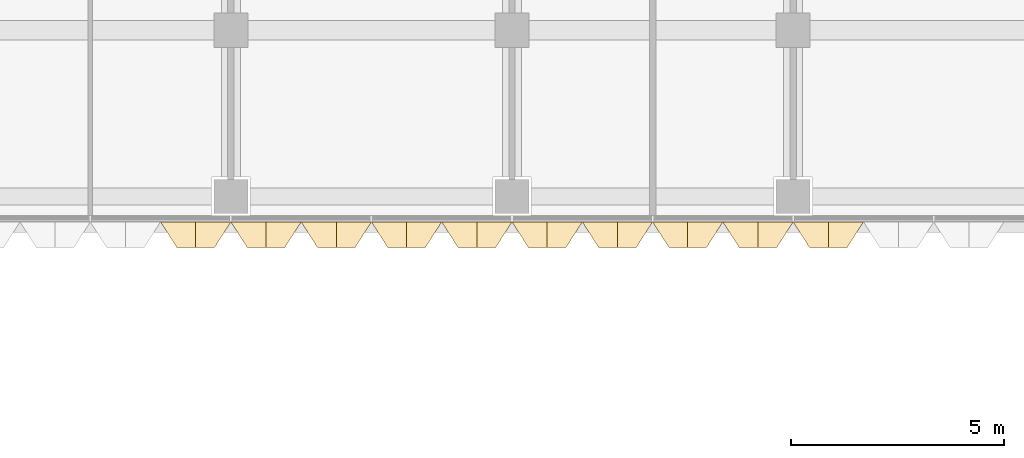
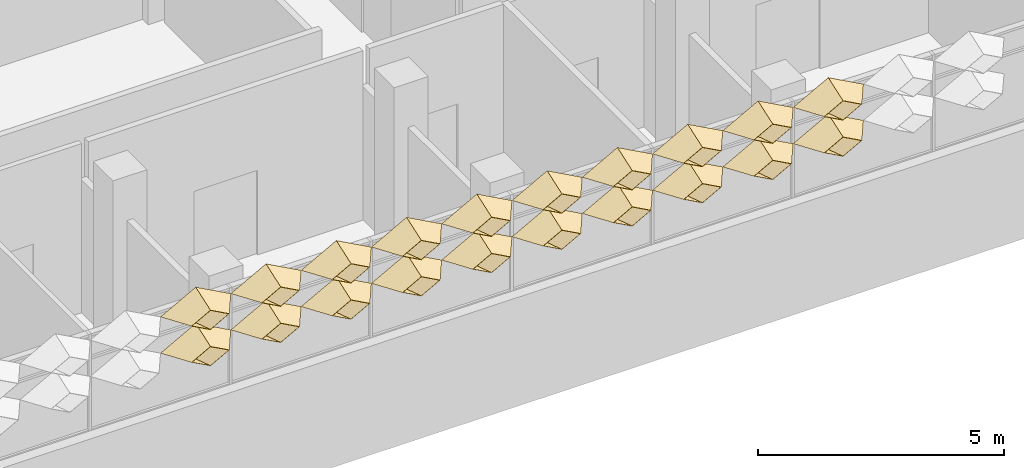
# One storey, part 61 of 102: 20 coverings.
"""IFC4 building model written with IfcOpenShell, lengths in metres."""

from ifc_helpers import new_model, entity, si_unit, direction, frame, origin, place, context, subcontext, project, spatial, material, layer, layer_set, type_object, element, save


model = new_model("IFC4")

# Units and contexts
model_context = context("Model", 3, precision=1e-05, world=origin(), true_north=direction((0.0, 1.0)))
body_context = subcontext(model_context, "Body", "Model", "MODEL_VIEW")
ifc_project = project(units=[si_unit("LENGTHUNIT", "METRE"), si_unit("AREAUNIT", "SQUARE_METRE"), si_unit("VOLUMEUNIT", "CUBIC_METRE"), si_unit("PLANEANGLEUNIT", "RADIAN"), si_unit("MASSUNIT", "GRAM", prefix="KILO")], contexts=[model_context])

# Site, building, storey
site_placement = place(None, origin())
site = spatial("IfcSite", under=ifc_project, at=site_placement, CompositionType="ELEMENT")
building_placement = place(site_placement, origin())
building = spatial("IfcBuilding", under=site, at=building_placement, Name="Lantern Court Research Institute", CompositionType="ELEMENT")
storey_placement = place(building_placement, frame((0.0, 0.0, 9.89990234375)))
storey = spatial("IfcBuildingStorey", under=building, at=storey_placement, Name="L02", CompositionType="ELEMENT", Elevation=9.89990234375)

# Coverings
ifc_material = material(Name="Anodised aluminium", Category="aluminium")
ifc_layer = layer(ifc_material, 0.01611328125)
ifc_layer_set = layer_set([ifc_layer], Name="Anodised aluminium")
covering_type = type_object("IfcCoveringType", Name="Fin cassette 1650 x 900 x 600 aluminium", PredefinedType="CLADDING", material=ifc_layer_set)
covering_1_placement = place(storey_placement, frame((32.175048828125, -4.5, 3.150146484375), z_axis=(0.0, -1.0, 0.0), x_axis=(1.0, 0.0, 0.0)))
cartesian_point_1 = entity("IfcCartesianPoint", [0.824951171875, 0.0])
cartesian_point_2 = entity("IfcCartesianPoint", [0.79150390625, 0.0])
cartesian_point_3 = entity("IfcCartesianPoint", [0.44189453125, 0.0])
cartesian_point_4 = entity("IfcCartesianPoint", [0.43359375, 0.0])
element("IfcCovering", 1, at=covering_1_placement, inside=storey, type_object=covering_type, Name="Fin cassette V4S-L02 4.20", PredefinedType="CLADDING", context=body_context, shape_type="SweptSolid", body=[
    entity("IfcExtrudedAreaSolidTapered", entity("IfcArbitraryProfileDefWithVoids", "AREA", None, entity("IfcPolyline", [cartesian_point_1, entity("IfcCartesianPoint", [0.0, 0.449951171875]), entity("IfcCartesianPoint", [-0.824951171875, 0.0]), entity("IfcCartesianPoint", [0.0, -0.449951171875]), cartesian_point_1]), [entity("IfcPolyline", [cartesian_point_2, entity("IfcCartesianPoint", [0.0, 0.431884765625]), entity("IfcCartesianPoint", [-0.79150390625, 0.0]), entity("IfcCartesianPoint", [0.0, -0.431884765625]), cartesian_point_2])]), entity("IfcAxis2Placement3D", entity("IfcCartesianPoint", [0.0, 0.0, 0.0])), entity("IfcDirection", [0.0, 0.0, 1.0]), 0.60009765625, entity("IfcArbitraryProfileDefWithVoids", "AREA", None, entity("IfcPolyline", [cartesian_point_3, entity("IfcCartesianPoint", [0.0, 0.240966796875]), entity("IfcCartesianPoint", [-0.44189453125, 0.0]), entity("IfcCartesianPoint", [0.0, -0.240966796875]), cartesian_point_3]), [entity("IfcPolyline", [cartesian_point_4, entity("IfcCartesianPoint", [0.0, 0.236572265625]), entity("IfcCartesianPoint", [-0.43359375, 0.0]), entity("IfcCartesianPoint", [0.0, -0.236572265625]), cartesian_point_4])])),
])
covering_2_placement = place(storey_placement, frame((33.824951171875, -4.5, 3.150146484375), z_axis=(0.0, -1.0, 0.0), x_axis=(1.0, 0.0, 0.0)))
cartesian_point_5 = entity("IfcCartesianPoint", [0.824951171875, 0.0])
cartesian_point_6 = entity("IfcCartesianPoint", [0.79150390625, 0.0])
cartesian_point_7 = entity("IfcCartesianPoint", [0.44189453125, 0.0])
cartesian_point_8 = entity("IfcCartesianPoint", [0.43359375, 0.0])
element("IfcCovering", 2, at=covering_2_placement, inside=storey, type_object=covering_type, Name="Fin cassette V4S-L02 4.21", PredefinedType="CLADDING", context=body_context, shape_type="SweptSolid", body=[
    entity("IfcExtrudedAreaSolidTapered", entity("IfcArbitraryProfileDefWithVoids", "AREA", None, entity("IfcPolyline", [cartesian_point_5, entity("IfcCartesianPoint", [0.0, 0.449951171875]), entity("IfcCartesianPoint", [-0.824951171875, 0.0]), entity("IfcCartesianPoint", [0.0, -0.449951171875]), cartesian_point_5]), [entity("IfcPolyline", [cartesian_point_6, entity("IfcCartesianPoint", [0.0, 0.431884765625]), entity("IfcCartesianPoint", [-0.79150390625, 0.0]), entity("IfcCartesianPoint", [0.0, -0.431884765625]), cartesian_point_6])]), entity("IfcAxis2Placement3D", entity("IfcCartesianPoint", [0.0, 0.0, 0.0])), entity("IfcDirection", [0.0, 0.0, 1.0]), 0.60009765625, entity("IfcArbitraryProfileDefWithVoids", "AREA", None, entity("IfcPolyline", [cartesian_point_7, entity("IfcCartesianPoint", [0.0, 0.240966796875]), entity("IfcCartesianPoint", [-0.44189453125, 0.0]), entity("IfcCartesianPoint", [0.0, -0.240966796875]), cartesian_point_7]), [entity("IfcPolyline", [cartesian_point_8, entity("IfcCartesianPoint", [0.0, 0.236572265625]), entity("IfcCartesianPoint", [-0.43359375, 0.0]), entity("IfcCartesianPoint", [0.0, -0.236572265625]), cartesian_point_8])])),
])
covering_3_placement = place(storey_placement, frame((35.47509765625, -4.5, 3.150146484375), z_axis=(0.0, -1.0, 0.0), x_axis=(1.0, 0.0, 0.0)))
cartesian_point_9 = entity("IfcCartesianPoint", [0.824951171875, 0.0])
cartesian_point_10 = entity("IfcCartesianPoint", [0.79150390625, 0.0])
cartesian_point_11 = entity("IfcCartesianPoint", [0.44189453125, 0.0])
cartesian_point_12 = entity("IfcCartesianPoint", [0.43359375, 0.0])
element("IfcCovering", 3, at=covering_3_placement, inside=storey, type_object=covering_type, Name="Fin cassette V4S-L02 4.22", PredefinedType="CLADDING", context=body_context, shape_type="SweptSolid", body=[
    entity("IfcExtrudedAreaSolidTapered", entity("IfcArbitraryProfileDefWithVoids", "AREA", None, entity("IfcPolyline", [cartesian_point_9, entity("IfcCartesianPoint", [0.0, 0.449951171875]), entity("IfcCartesianPoint", [-0.824951171875, 0.0]), entity("IfcCartesianPoint", [0.0, -0.449951171875]), cartesian_point_9]), [entity("IfcPolyline", [cartesian_point_10, entity("IfcCartesianPoint", [0.0, 0.431884765625]), entity("IfcCartesianPoint", [-0.79150390625, 0.0]), entity("IfcCartesianPoint", [0.0, -0.431884765625]), cartesian_point_10])]), entity("IfcAxis2Placement3D", entity("IfcCartesianPoint", [0.0, 0.0, 0.0])), entity("IfcDirection", [0.0, 0.0, 1.0]), 0.60009765625, entity("IfcArbitraryProfileDefWithVoids", "AREA", None, entity("IfcPolyline", [cartesian_point_11, entity("IfcCartesianPoint", [0.0, 0.240966796875]), entity("IfcCartesianPoint", [-0.44189453125, 0.0]), entity("IfcCartesianPoint", [0.0, -0.240966796875]), cartesian_point_11]), [entity("IfcPolyline", [cartesian_point_12, entity("IfcCartesianPoint", [0.0, 0.236572265625]), entity("IfcCartesianPoint", [-0.43359375, 0.0]), entity("IfcCartesianPoint", [0.0, -0.236572265625]), cartesian_point_12])])),
])
covering_4_placement = place(storey_placement, frame((37.125, -4.5, 3.150146484375), z_axis=(0.0, -1.0, 0.0), x_axis=(1.0, 0.0, 0.0)))
cartesian_point_13 = entity("IfcCartesianPoint", [0.824951171875, 0.0])
cartesian_point_14 = entity("IfcCartesianPoint", [0.79150390625, 0.0])
cartesian_point_15 = entity("IfcCartesianPoint", [0.44189453125, 0.0])
cartesian_point_16 = entity("IfcCartesianPoint", [0.43359375, 0.0])
element("IfcCovering", 4, at=covering_4_placement, inside=storey, type_object=covering_type, Name="Fin cassette V4S-L02 4.23", PredefinedType="CLADDING", context=body_context, shape_type="SweptSolid", body=[
    entity("IfcExtrudedAreaSolidTapered", entity("IfcArbitraryProfileDefWithVoids", "AREA", None, entity("IfcPolyline", [cartesian_point_13, entity("IfcCartesianPoint", [0.0, 0.449951171875]), entity("IfcCartesianPoint", [-0.824951171875, 0.0]), entity("IfcCartesianPoint", [0.0, -0.449951171875]), cartesian_point_13]), [entity("IfcPolyline", [cartesian_point_14, entity("IfcCartesianPoint", [0.0, 0.431884765625]), entity("IfcCartesianPoint", [-0.79150390625, 0.0]), entity("IfcCartesianPoint", [0.0, -0.431884765625]), cartesian_point_14])]), entity("IfcAxis2Placement3D", entity("IfcCartesianPoint", [0.0, 0.0, 0.0])), entity("IfcDirection", [0.0, 0.0, 1.0]), 0.60009765625, entity("IfcArbitraryProfileDefWithVoids", "AREA", None, entity("IfcPolyline", [cartesian_point_15, entity("IfcCartesianPoint", [0.0, 0.240966796875]), entity("IfcCartesianPoint", [-0.44189453125, 0.0]), entity("IfcCartesianPoint", [0.0, -0.240966796875]), cartesian_point_15]), [entity("IfcPolyline", [cartesian_point_16, entity("IfcCartesianPoint", [0.0, 0.236572265625]), entity("IfcCartesianPoint", [-0.43359375, 0.0]), entity("IfcCartesianPoint", [0.0, -0.236572265625]), cartesian_point_16])])),
])
covering_5_placement = place(storey_placement, frame((38.77490234375, -4.5, 3.150146484375), z_axis=(0.0, -1.0, 0.0), x_axis=(1.0, 0.0, 0.0)))
cartesian_point_17 = entity("IfcCartesianPoint", [0.824951171875, 0.0])
cartesian_point_18 = entity("IfcCartesianPoint", [0.79150390625, 0.0])
cartesian_point_19 = entity("IfcCartesianPoint", [0.44189453125, 0.0])
cartesian_point_20 = entity("IfcCartesianPoint", [0.43359375, 0.0])
element("IfcCovering", 5, at=covering_5_placement, inside=storey, type_object=covering_type, Name="Fin cassette V4S-L02 4.24", PredefinedType="CLADDING", context=body_context, shape_type="SweptSolid", body=[
    entity("IfcExtrudedAreaSolidTapered", entity("IfcArbitraryProfileDefWithVoids", "AREA", None, entity("IfcPolyline", [cartesian_point_17, entity("IfcCartesianPoint", [0.0, 0.449951171875]), entity("IfcCartesianPoint", [-0.824951171875, 0.0]), entity("IfcCartesianPoint", [0.0, -0.449951171875]), cartesian_point_17]), [entity("IfcPolyline", [cartesian_point_18, entity("IfcCartesianPoint", [0.0, 0.431884765625]), entity("IfcCartesianPoint", [-0.79150390625, 0.0]), entity("IfcCartesianPoint", [0.0, -0.431884765625]), cartesian_point_18])]), entity("IfcAxis2Placement3D", entity("IfcCartesianPoint", [0.0, 0.0, 0.0])), entity("IfcDirection", [0.0, 0.0, 1.0]), 0.60009765625, entity("IfcArbitraryProfileDefWithVoids", "AREA", None, entity("IfcPolyline", [cartesian_point_19, entity("IfcCartesianPoint", [0.0, 0.240966796875]), entity("IfcCartesianPoint", [-0.44189453125, 0.0]), entity("IfcCartesianPoint", [0.0, -0.240966796875]), cartesian_point_19]), [entity("IfcPolyline", [cartesian_point_20, entity("IfcCartesianPoint", [0.0, 0.236572265625]), entity("IfcCartesianPoint", [-0.43359375, 0.0]), entity("IfcCartesianPoint", [0.0, -0.236572265625]), cartesian_point_20])])),
])
covering_6_placement = place(storey_placement, frame((40.425048828125, -4.5, 3.150146484375), z_axis=(0.0, -1.0, 0.0), x_axis=(1.0, 0.0, 0.0)))
cartesian_point_21 = entity("IfcCartesianPoint", [0.824951171875, 0.0])
cartesian_point_22 = entity("IfcCartesianPoint", [0.79150390625, 0.0])
cartesian_point_23 = entity("IfcCartesianPoint", [0.44189453125, 0.0])
cartesian_point_24 = entity("IfcCartesianPoint", [0.43359375, 0.0])
element("IfcCovering", 6, at=covering_6_placement, inside=storey, type_object=covering_type, Name="Fin cassette V4S-L02 4.25", PredefinedType="CLADDING", context=body_context, shape_type="SweptSolid", body=[
    entity("IfcExtrudedAreaSolidTapered", entity("IfcArbitraryProfileDefWithVoids", "AREA", None, entity("IfcPolyline", [cartesian_point_21, entity("IfcCartesianPoint", [0.0, 0.449951171875]), entity("IfcCartesianPoint", [-0.824951171875, 0.0]), entity("IfcCartesianPoint", [0.0, -0.449951171875]), cartesian_point_21]), [entity("IfcPolyline", [cartesian_point_22, entity("IfcCartesianPoint", [0.0, 0.431884765625]), entity("IfcCartesianPoint", [-0.79150390625, 0.0]), entity("IfcCartesianPoint", [0.0, -0.431884765625]), cartesian_point_22])]), entity("IfcAxis2Placement3D", entity("IfcCartesianPoint", [0.0, 0.0, 0.0])), entity("IfcDirection", [0.0, 0.0, 1.0]), 0.60009765625, entity("IfcArbitraryProfileDefWithVoids", "AREA", None, entity("IfcPolyline", [cartesian_point_23, entity("IfcCartesianPoint", [0.0, 0.240966796875]), entity("IfcCartesianPoint", [-0.44189453125, 0.0]), entity("IfcCartesianPoint", [0.0, -0.240966796875]), cartesian_point_23]), [entity("IfcPolyline", [cartesian_point_24, entity("IfcCartesianPoint", [0.0, 0.236572265625]), entity("IfcCartesianPoint", [-0.43359375, 0.0]), entity("IfcCartesianPoint", [0.0, -0.236572265625]), cartesian_point_24])])),
])
covering_7_placement = place(storey_placement, frame((42.074951171875, -4.5, 3.150146484375), z_axis=(0.0, -1.0, 0.0), x_axis=(1.0, 0.0, 0.0)))
cartesian_point_25 = entity("IfcCartesianPoint", [0.824951171875, 0.0])
cartesian_point_26 = entity("IfcCartesianPoint", [0.79150390625, 0.0])
cartesian_point_27 = entity("IfcCartesianPoint", [0.44189453125, 0.0])
cartesian_point_28 = entity("IfcCartesianPoint", [0.43359375, 0.0])
element("IfcCovering", 7, at=covering_7_placement, inside=storey, type_object=covering_type, Name="Fin cassette V4S-L02 4.26", PredefinedType="CLADDING", context=body_context, shape_type="SweptSolid", body=[
    entity("IfcExtrudedAreaSolidTapered", entity("IfcArbitraryProfileDefWithVoids", "AREA", None, entity("IfcPolyline", [cartesian_point_25, entity("IfcCartesianPoint", [0.0, 0.449951171875]), entity("IfcCartesianPoint", [-0.824951171875, 0.0]), entity("IfcCartesianPoint", [0.0, -0.449951171875]), cartesian_point_25]), [entity("IfcPolyline", [cartesian_point_26, entity("IfcCartesianPoint", [0.0, 0.431884765625]), entity("IfcCartesianPoint", [-0.79150390625, 0.0]), entity("IfcCartesianPoint", [0.0, -0.431884765625]), cartesian_point_26])]), entity("IfcAxis2Placement3D", entity("IfcCartesianPoint", [0.0, 0.0, 0.0])), entity("IfcDirection", [0.0, 0.0, 1.0]), 0.60009765625, entity("IfcArbitraryProfileDefWithVoids", "AREA", None, entity("IfcPolyline", [cartesian_point_27, entity("IfcCartesianPoint", [0.0, 0.240966796875]), entity("IfcCartesianPoint", [-0.44189453125, 0.0]), entity("IfcCartesianPoint", [0.0, -0.240966796875]), cartesian_point_27]), [entity("IfcPolyline", [cartesian_point_28, entity("IfcCartesianPoint", [0.0, 0.236572265625]), entity("IfcCartesianPoint", [-0.43359375, 0.0]), entity("IfcCartesianPoint", [0.0, -0.236572265625]), cartesian_point_28])])),
])
covering_8_placement = place(storey_placement, frame((43.72509765625, -4.5, 3.150146484375), z_axis=(0.0, -1.0, 0.0), x_axis=(1.0, 0.0, 0.0)))
cartesian_point_29 = entity("IfcCartesianPoint", [0.824951171875, 0.0])
cartesian_point_30 = entity("IfcCartesianPoint", [0.79150390625, 0.0])
cartesian_point_31 = entity("IfcCartesianPoint", [0.44189453125, 0.0])
cartesian_point_32 = entity("IfcCartesianPoint", [0.43359375, 0.0])
element("IfcCovering", 8, at=covering_8_placement, inside=storey, type_object=covering_type, Name="Fin cassette V4S-L02 4.27", PredefinedType="CLADDING", context=body_context, shape_type="SweptSolid", body=[
    entity("IfcExtrudedAreaSolidTapered", entity("IfcArbitraryProfileDefWithVoids", "AREA", None, entity("IfcPolyline", [cartesian_point_29, entity("IfcCartesianPoint", [0.0, 0.449951171875]), entity("IfcCartesianPoint", [-0.824951171875, 0.0]), entity("IfcCartesianPoint", [0.0, -0.449951171875]), cartesian_point_29]), [entity("IfcPolyline", [cartesian_point_30, entity("IfcCartesianPoint", [0.0, 0.431884765625]), entity("IfcCartesianPoint", [-0.79150390625, 0.0]), entity("IfcCartesianPoint", [0.0, -0.431884765625]), cartesian_point_30])]), entity("IfcAxis2Placement3D", entity("IfcCartesianPoint", [0.0, 0.0, 0.0])), entity("IfcDirection", [0.0, 0.0, 1.0]), 0.60009765625, entity("IfcArbitraryProfileDefWithVoids", "AREA", None, entity("IfcPolyline", [cartesian_point_31, entity("IfcCartesianPoint", [0.0, 0.240966796875]), entity("IfcCartesianPoint", [-0.44189453125, 0.0]), entity("IfcCartesianPoint", [0.0, -0.240966796875]), cartesian_point_31]), [entity("IfcPolyline", [cartesian_point_32, entity("IfcCartesianPoint", [0.0, 0.236572265625]), entity("IfcCartesianPoint", [-0.43359375, 0.0]), entity("IfcCartesianPoint", [0.0, -0.236572265625]), cartesian_point_32])])),
])
covering_9_placement = place(storey_placement, frame((45.375, -4.5, 3.150146484375), z_axis=(0.0, -1.0, 0.0), x_axis=(1.0, 0.0, 0.0)))
cartesian_point_33 = entity("IfcCartesianPoint", [0.824951171875, 0.0])
cartesian_point_34 = entity("IfcCartesianPoint", [0.79150390625, 0.0])
cartesian_point_35 = entity("IfcCartesianPoint", [0.44189453125, 0.0])
cartesian_point_36 = entity("IfcCartesianPoint", [0.43359375, 0.0])
element("IfcCovering", 9, at=covering_9_placement, inside=storey, type_object=covering_type, Name="Fin cassette V4S-L02 4.28", PredefinedType="CLADDING", context=body_context, shape_type="SweptSolid", body=[
    entity("IfcExtrudedAreaSolidTapered", entity("IfcArbitraryProfileDefWithVoids", "AREA", None, entity("IfcPolyline", [cartesian_point_33, entity("IfcCartesianPoint", [0.0, 0.449951171875]), entity("IfcCartesianPoint", [-0.824951171875, 0.0]), entity("IfcCartesianPoint", [0.0, -0.449951171875]), cartesian_point_33]), [entity("IfcPolyline", [cartesian_point_34, entity("IfcCartesianPoint", [0.0, 0.431884765625]), entity("IfcCartesianPoint", [-0.79150390625, 0.0]), entity("IfcCartesianPoint", [0.0, -0.431884765625]), cartesian_point_34])]), entity("IfcAxis2Placement3D", entity("IfcCartesianPoint", [0.0, 0.0, 0.0])), entity("IfcDirection", [0.0, 0.0, 1.0]), 0.60009765625, entity("IfcArbitraryProfileDefWithVoids", "AREA", None, entity("IfcPolyline", [cartesian_point_35, entity("IfcCartesianPoint", [0.0, 0.240966796875]), entity("IfcCartesianPoint", [-0.44189453125, 0.0]), entity("IfcCartesianPoint", [0.0, -0.240966796875]), cartesian_point_35]), [entity("IfcPolyline", [cartesian_point_36, entity("IfcCartesianPoint", [0.0, 0.236572265625]), entity("IfcCartesianPoint", [-0.43359375, 0.0]), entity("IfcCartesianPoint", [0.0, -0.236572265625]), cartesian_point_36])])),
])
covering_10_placement = place(storey_placement, frame((47.02490234375, -4.5, 3.150146484375), z_axis=(0.0, -1.0, 0.0), x_axis=(1.0, 0.0, 0.0)))
cartesian_point_37 = entity("IfcCartesianPoint", [0.824951171875, 0.0])
cartesian_point_38 = entity("IfcCartesianPoint", [0.79150390625, 0.0])
cartesian_point_39 = entity("IfcCartesianPoint", [0.44189453125, 0.0])
cartesian_point_40 = entity("IfcCartesianPoint", [0.43359375, 0.0])
element("IfcCovering", 10, at=covering_10_placement, inside=storey, type_object=covering_type, Name="Fin cassette V4S-L02 4.29", PredefinedType="CLADDING", context=body_context, shape_type="SweptSolid", body=[
    entity("IfcExtrudedAreaSolidTapered", entity("IfcArbitraryProfileDefWithVoids", "AREA", None, entity("IfcPolyline", [cartesian_point_37, entity("IfcCartesianPoint", [0.0, 0.449951171875]), entity("IfcCartesianPoint", [-0.824951171875, 0.0]), entity("IfcCartesianPoint", [0.0, -0.449951171875]), cartesian_point_37]), [entity("IfcPolyline", [cartesian_point_38, entity("IfcCartesianPoint", [0.0, 0.431884765625]), entity("IfcCartesianPoint", [-0.79150390625, 0.0]), entity("IfcCartesianPoint", [0.0, -0.431884765625]), cartesian_point_38])]), entity("IfcAxis2Placement3D", entity("IfcCartesianPoint", [0.0, 0.0, 0.0])), entity("IfcDirection", [0.0, 0.0, 1.0]), 0.60009765625, entity("IfcArbitraryProfileDefWithVoids", "AREA", None, entity("IfcPolyline", [cartesian_point_39, entity("IfcCartesianPoint", [0.0, 0.240966796875]), entity("IfcCartesianPoint", [-0.44189453125, 0.0]), entity("IfcCartesianPoint", [0.0, -0.240966796875]), cartesian_point_39]), [entity("IfcPolyline", [cartesian_point_40, entity("IfcCartesianPoint", [0.0, 0.236572265625]), entity("IfcCartesianPoint", [-0.43359375, 0.0]), entity("IfcCartesianPoint", [0.0, -0.236572265625]), cartesian_point_40])])),
])
covering_11_placement = place(storey_placement, frame((32.175048828125, -4.5, 4.050048828125), z_axis=(0.0, -1.0, 0.0), x_axis=(1.0, 0.0, 0.0)))
cartesian_point_41 = entity("IfcCartesianPoint", [0.824951171875, 0.0])
cartesian_point_42 = entity("IfcCartesianPoint", [0.79150390625, 0.0])
cartesian_point_43 = entity("IfcCartesianPoint", [0.44189453125, 0.0])
cartesian_point_44 = entity("IfcCartesianPoint", [0.43359375, 0.0])
element("IfcCovering", 11, at=covering_11_placement, inside=storey, type_object=covering_type, Name="Fin cassette V4S-L02 5.20", PredefinedType="CLADDING", context=body_context, shape_type="SweptSolid", body=[
    entity("IfcExtrudedAreaSolidTapered", entity("IfcArbitraryProfileDefWithVoids", "AREA", None, entity("IfcPolyline", [cartesian_point_41, entity("IfcCartesianPoint", [0.0, 0.449951171875]), entity("IfcCartesianPoint", [-0.824951171875, 0.0]), entity("IfcCartesianPoint", [0.0, -0.449951171875]), cartesian_point_41]), [entity("IfcPolyline", [cartesian_point_42, entity("IfcCartesianPoint", [0.0, 0.431884765625]), entity("IfcCartesianPoint", [-0.79150390625, 0.0]), entity("IfcCartesianPoint", [0.0, -0.431884765625]), cartesian_point_42])]), entity("IfcAxis2Placement3D", entity("IfcCartesianPoint", [0.0, 0.0, 0.0])), entity("IfcDirection", [0.0, 0.0, 1.0]), 0.60009765625, entity("IfcArbitraryProfileDefWithVoids", "AREA", None, entity("IfcPolyline", [cartesian_point_43, entity("IfcCartesianPoint", [0.0, 0.240966796875]), entity("IfcCartesianPoint", [-0.44189453125, 0.0]), entity("IfcCartesianPoint", [0.0, -0.240966796875]), cartesian_point_43]), [entity("IfcPolyline", [cartesian_point_44, entity("IfcCartesianPoint", [0.0, 0.236572265625]), entity("IfcCartesianPoint", [-0.43359375, 0.0]), entity("IfcCartesianPoint", [0.0, -0.236572265625]), cartesian_point_44])])),
])
covering_12_placement = place(storey_placement, frame((33.824951171875, -4.5, 4.050048828125), z_axis=(0.0, -1.0, 0.0), x_axis=(1.0, 0.0, 0.0)))
cartesian_point_45 = entity("IfcCartesianPoint", [0.824951171875, 0.0])
cartesian_point_46 = entity("IfcCartesianPoint", [0.79150390625, 0.0])
cartesian_point_47 = entity("IfcCartesianPoint", [0.44189453125, 0.0])
cartesian_point_48 = entity("IfcCartesianPoint", [0.43359375, 0.0])
element("IfcCovering", 12, at=covering_12_placement, inside=storey, type_object=covering_type, Name="Fin cassette V4S-L02 5.21", PredefinedType="CLADDING", context=body_context, shape_type="SweptSolid", body=[
    entity("IfcExtrudedAreaSolidTapered", entity("IfcArbitraryProfileDefWithVoids", "AREA", None, entity("IfcPolyline", [cartesian_point_45, entity("IfcCartesianPoint", [0.0, 0.449951171875]), entity("IfcCartesianPoint", [-0.824951171875, 0.0]), entity("IfcCartesianPoint", [0.0, -0.449951171875]), cartesian_point_45]), [entity("IfcPolyline", [cartesian_point_46, entity("IfcCartesianPoint", [0.0, 0.431884765625]), entity("IfcCartesianPoint", [-0.79150390625, 0.0]), entity("IfcCartesianPoint", [0.0, -0.431884765625]), cartesian_point_46])]), entity("IfcAxis2Placement3D", entity("IfcCartesianPoint", [0.0, 0.0, 0.0])), entity("IfcDirection", [0.0, 0.0, 1.0]), 0.60009765625, entity("IfcArbitraryProfileDefWithVoids", "AREA", None, entity("IfcPolyline", [cartesian_point_47, entity("IfcCartesianPoint", [0.0, 0.240966796875]), entity("IfcCartesianPoint", [-0.44189453125, 0.0]), entity("IfcCartesianPoint", [0.0, -0.240966796875]), cartesian_point_47]), [entity("IfcPolyline", [cartesian_point_48, entity("IfcCartesianPoint", [0.0, 0.236572265625]), entity("IfcCartesianPoint", [-0.43359375, 0.0]), entity("IfcCartesianPoint", [0.0, -0.236572265625]), cartesian_point_48])])),
])
covering_13_placement = place(storey_placement, frame((35.47509765625, -4.5, 4.050048828125), z_axis=(0.0, -1.0, 0.0), x_axis=(1.0, 0.0, 0.0)))
cartesian_point_49 = entity("IfcCartesianPoint", [0.824951171875, 0.0])
cartesian_point_50 = entity("IfcCartesianPoint", [0.79150390625, 0.0])
cartesian_point_51 = entity("IfcCartesianPoint", [0.44189453125, 0.0])
cartesian_point_52 = entity("IfcCartesianPoint", [0.43359375, 0.0])
element("IfcCovering", 13, at=covering_13_placement, inside=storey, type_object=covering_type, Name="Fin cassette V4S-L02 5.22", PredefinedType="CLADDING", context=body_context, shape_type="SweptSolid", body=[
    entity("IfcExtrudedAreaSolidTapered", entity("IfcArbitraryProfileDefWithVoids", "AREA", None, entity("IfcPolyline", [cartesian_point_49, entity("IfcCartesianPoint", [0.0, 0.449951171875]), entity("IfcCartesianPoint", [-0.824951171875, 0.0]), entity("IfcCartesianPoint", [0.0, -0.449951171875]), cartesian_point_49]), [entity("IfcPolyline", [cartesian_point_50, entity("IfcCartesianPoint", [0.0, 0.431884765625]), entity("IfcCartesianPoint", [-0.79150390625, 0.0]), entity("IfcCartesianPoint", [0.0, -0.431884765625]), cartesian_point_50])]), entity("IfcAxis2Placement3D", entity("IfcCartesianPoint", [0.0, 0.0, 0.0])), entity("IfcDirection", [0.0, 0.0, 1.0]), 0.60009765625, entity("IfcArbitraryProfileDefWithVoids", "AREA", None, entity("IfcPolyline", [cartesian_point_51, entity("IfcCartesianPoint", [0.0, 0.240966796875]), entity("IfcCartesianPoint", [-0.44189453125, 0.0]), entity("IfcCartesianPoint", [0.0, -0.240966796875]), cartesian_point_51]), [entity("IfcPolyline", [cartesian_point_52, entity("IfcCartesianPoint", [0.0, 0.236572265625]), entity("IfcCartesianPoint", [-0.43359375, 0.0]), entity("IfcCartesianPoint", [0.0, -0.236572265625]), cartesian_point_52])])),
])
covering_14_placement = place(storey_placement, frame((37.125, -4.5, 4.050048828125), z_axis=(0.0, -1.0, 0.0), x_axis=(1.0, 0.0, 0.0)))
cartesian_point_53 = entity("IfcCartesianPoint", [0.824951171875, 0.0])
cartesian_point_54 = entity("IfcCartesianPoint", [0.79150390625, 0.0])
cartesian_point_55 = entity("IfcCartesianPoint", [0.44189453125, 0.0])
cartesian_point_56 = entity("IfcCartesianPoint", [0.43359375, 0.0])
element("IfcCovering", 14, at=covering_14_placement, inside=storey, type_object=covering_type, Name="Fin cassette V4S-L02 5.23", PredefinedType="CLADDING", context=body_context, shape_type="SweptSolid", body=[
    entity("IfcExtrudedAreaSolidTapered", entity("IfcArbitraryProfileDefWithVoids", "AREA", None, entity("IfcPolyline", [cartesian_point_53, entity("IfcCartesianPoint", [0.0, 0.449951171875]), entity("IfcCartesianPoint", [-0.824951171875, 0.0]), entity("IfcCartesianPoint", [0.0, -0.449951171875]), cartesian_point_53]), [entity("IfcPolyline", [cartesian_point_54, entity("IfcCartesianPoint", [0.0, 0.431884765625]), entity("IfcCartesianPoint", [-0.79150390625, 0.0]), entity("IfcCartesianPoint", [0.0, -0.431884765625]), cartesian_point_54])]), entity("IfcAxis2Placement3D", entity("IfcCartesianPoint", [0.0, 0.0, 0.0])), entity("IfcDirection", [0.0, 0.0, 1.0]), 0.60009765625, entity("IfcArbitraryProfileDefWithVoids", "AREA", None, entity("IfcPolyline", [cartesian_point_55, entity("IfcCartesianPoint", [0.0, 0.240966796875]), entity("IfcCartesianPoint", [-0.44189453125, 0.0]), entity("IfcCartesianPoint", [0.0, -0.240966796875]), cartesian_point_55]), [entity("IfcPolyline", [cartesian_point_56, entity("IfcCartesianPoint", [0.0, 0.236572265625]), entity("IfcCartesianPoint", [-0.43359375, 0.0]), entity("IfcCartesianPoint", [0.0, -0.236572265625]), cartesian_point_56])])),
])
covering_15_placement = place(storey_placement, frame((38.77490234375, -4.5, 4.050048828125), z_axis=(0.0, -1.0, 0.0), x_axis=(1.0, 0.0, 0.0)))
cartesian_point_57 = entity("IfcCartesianPoint", [0.824951171875, 0.0])
cartesian_point_58 = entity("IfcCartesianPoint", [0.79150390625, 0.0])
cartesian_point_59 = entity("IfcCartesianPoint", [0.44189453125, 0.0])
cartesian_point_60 = entity("IfcCartesianPoint", [0.43359375, 0.0])
element("IfcCovering", 15, at=covering_15_placement, inside=storey, type_object=covering_type, Name="Fin cassette V4S-L02 5.24", PredefinedType="CLADDING", context=body_context, shape_type="SweptSolid", body=[
    entity("IfcExtrudedAreaSolidTapered", entity("IfcArbitraryProfileDefWithVoids", "AREA", None, entity("IfcPolyline", [cartesian_point_57, entity("IfcCartesianPoint", [0.0, 0.449951171875]), entity("IfcCartesianPoint", [-0.824951171875, 0.0]), entity("IfcCartesianPoint", [0.0, -0.449951171875]), cartesian_point_57]), [entity("IfcPolyline", [cartesian_point_58, entity("IfcCartesianPoint", [0.0, 0.431884765625]), entity("IfcCartesianPoint", [-0.79150390625, 0.0]), entity("IfcCartesianPoint", [0.0, -0.431884765625]), cartesian_point_58])]), entity("IfcAxis2Placement3D", entity("IfcCartesianPoint", [0.0, 0.0, 0.0])), entity("IfcDirection", [0.0, 0.0, 1.0]), 0.60009765625, entity("IfcArbitraryProfileDefWithVoids", "AREA", None, entity("IfcPolyline", [cartesian_point_59, entity("IfcCartesianPoint", [0.0, 0.240966796875]), entity("IfcCartesianPoint", [-0.44189453125, 0.0]), entity("IfcCartesianPoint", [0.0, -0.240966796875]), cartesian_point_59]), [entity("IfcPolyline", [cartesian_point_60, entity("IfcCartesianPoint", [0.0, 0.236572265625]), entity("IfcCartesianPoint", [-0.43359375, 0.0]), entity("IfcCartesianPoint", [0.0, -0.236572265625]), cartesian_point_60])])),
])
covering_16_placement = place(storey_placement, frame((40.425048828125, -4.5, 4.050048828125), z_axis=(0.0, -1.0, 0.0), x_axis=(1.0, 0.0, 0.0)))
cartesian_point_61 = entity("IfcCartesianPoint", [0.824951171875, 0.0])
cartesian_point_62 = entity("IfcCartesianPoint", [0.79150390625, 0.0])
cartesian_point_63 = entity("IfcCartesianPoint", [0.44189453125, 0.0])
cartesian_point_64 = entity("IfcCartesianPoint", [0.43359375, 0.0])
element("IfcCovering", 16, at=covering_16_placement, inside=storey, type_object=covering_type, Name="Fin cassette V4S-L02 5.25", PredefinedType="CLADDING", context=body_context, shape_type="SweptSolid", body=[
    entity("IfcExtrudedAreaSolidTapered", entity("IfcArbitraryProfileDefWithVoids", "AREA", None, entity("IfcPolyline", [cartesian_point_61, entity("IfcCartesianPoint", [0.0, 0.449951171875]), entity("IfcCartesianPoint", [-0.824951171875, 0.0]), entity("IfcCartesianPoint", [0.0, -0.449951171875]), cartesian_point_61]), [entity("IfcPolyline", [cartesian_point_62, entity("IfcCartesianPoint", [0.0, 0.431884765625]), entity("IfcCartesianPoint", [-0.79150390625, 0.0]), entity("IfcCartesianPoint", [0.0, -0.431884765625]), cartesian_point_62])]), entity("IfcAxis2Placement3D", entity("IfcCartesianPoint", [0.0, 0.0, 0.0])), entity("IfcDirection", [0.0, 0.0, 1.0]), 0.60009765625, entity("IfcArbitraryProfileDefWithVoids", "AREA", None, entity("IfcPolyline", [cartesian_point_63, entity("IfcCartesianPoint", [0.0, 0.240966796875]), entity("IfcCartesianPoint", [-0.44189453125, 0.0]), entity("IfcCartesianPoint", [0.0, -0.240966796875]), cartesian_point_63]), [entity("IfcPolyline", [cartesian_point_64, entity("IfcCartesianPoint", [0.0, 0.236572265625]), entity("IfcCartesianPoint", [-0.43359375, 0.0]), entity("IfcCartesianPoint", [0.0, -0.236572265625]), cartesian_point_64])])),
])
covering_17_placement = place(storey_placement, frame((42.074951171875, -4.5, 4.050048828125), z_axis=(0.0, -1.0, 0.0), x_axis=(1.0, 0.0, 0.0)))
cartesian_point_65 = entity("IfcCartesianPoint", [0.824951171875, 0.0])
cartesian_point_66 = entity("IfcCartesianPoint", [0.79150390625, 0.0])
cartesian_point_67 = entity("IfcCartesianPoint", [0.44189453125, 0.0])
cartesian_point_68 = entity("IfcCartesianPoint", [0.43359375, 0.0])
element("IfcCovering", 17, at=covering_17_placement, inside=storey, type_object=covering_type, Name="Fin cassette V4S-L02 5.26", PredefinedType="CLADDING", context=body_context, shape_type="SweptSolid", body=[
    entity("IfcExtrudedAreaSolidTapered", entity("IfcArbitraryProfileDefWithVoids", "AREA", None, entity("IfcPolyline", [cartesian_point_65, entity("IfcCartesianPoint", [0.0, 0.449951171875]), entity("IfcCartesianPoint", [-0.824951171875, 0.0]), entity("IfcCartesianPoint", [0.0, -0.449951171875]), cartesian_point_65]), [entity("IfcPolyline", [cartesian_point_66, entity("IfcCartesianPoint", [0.0, 0.431884765625]), entity("IfcCartesianPoint", [-0.79150390625, 0.0]), entity("IfcCartesianPoint", [0.0, -0.431884765625]), cartesian_point_66])]), entity("IfcAxis2Placement3D", entity("IfcCartesianPoint", [0.0, 0.0, 0.0])), entity("IfcDirection", [0.0, 0.0, 1.0]), 0.60009765625, entity("IfcArbitraryProfileDefWithVoids", "AREA", None, entity("IfcPolyline", [cartesian_point_67, entity("IfcCartesianPoint", [0.0, 0.240966796875]), entity("IfcCartesianPoint", [-0.44189453125, 0.0]), entity("IfcCartesianPoint", [0.0, -0.240966796875]), cartesian_point_67]), [entity("IfcPolyline", [cartesian_point_68, entity("IfcCartesianPoint", [0.0, 0.236572265625]), entity("IfcCartesianPoint", [-0.43359375, 0.0]), entity("IfcCartesianPoint", [0.0, -0.236572265625]), cartesian_point_68])])),
])
covering_18_placement = place(storey_placement, frame((43.72509765625, -4.5, 4.050048828125), z_axis=(0.0, -1.0, 0.0), x_axis=(1.0, 0.0, 0.0)))
cartesian_point_69 = entity("IfcCartesianPoint", [0.824951171875, 0.0])
cartesian_point_70 = entity("IfcCartesianPoint", [0.79150390625, 0.0])
cartesian_point_71 = entity("IfcCartesianPoint", [0.44189453125, 0.0])
cartesian_point_72 = entity("IfcCartesianPoint", [0.43359375, 0.0])
element("IfcCovering", 18, at=covering_18_placement, inside=storey, type_object=covering_type, Name="Fin cassette V4S-L02 5.27", PredefinedType="CLADDING", context=body_context, shape_type="SweptSolid", body=[
    entity("IfcExtrudedAreaSolidTapered", entity("IfcArbitraryProfileDefWithVoids", "AREA", None, entity("IfcPolyline", [cartesian_point_69, entity("IfcCartesianPoint", [0.0, 0.449951171875]), entity("IfcCartesianPoint", [-0.824951171875, 0.0]), entity("IfcCartesianPoint", [0.0, -0.449951171875]), cartesian_point_69]), [entity("IfcPolyline", [cartesian_point_70, entity("IfcCartesianPoint", [0.0, 0.431884765625]), entity("IfcCartesianPoint", [-0.79150390625, 0.0]), entity("IfcCartesianPoint", [0.0, -0.431884765625]), cartesian_point_70])]), entity("IfcAxis2Placement3D", entity("IfcCartesianPoint", [0.0, 0.0, 0.0])), entity("IfcDirection", [0.0, 0.0, 1.0]), 0.60009765625, entity("IfcArbitraryProfileDefWithVoids", "AREA", None, entity("IfcPolyline", [cartesian_point_71, entity("IfcCartesianPoint", [0.0, 0.240966796875]), entity("IfcCartesianPoint", [-0.44189453125, 0.0]), entity("IfcCartesianPoint", [0.0, -0.240966796875]), cartesian_point_71]), [entity("IfcPolyline", [cartesian_point_72, entity("IfcCartesianPoint", [0.0, 0.236572265625]), entity("IfcCartesianPoint", [-0.43359375, 0.0]), entity("IfcCartesianPoint", [0.0, -0.236572265625]), cartesian_point_72])])),
])
covering_19_placement = place(storey_placement, frame((45.375, -4.5, 4.050048828125), z_axis=(0.0, -1.0, 0.0), x_axis=(1.0, 0.0, 0.0)))
cartesian_point_73 = entity("IfcCartesianPoint", [0.824951171875, 0.0])
cartesian_point_74 = entity("IfcCartesianPoint", [0.79150390625, 0.0])
cartesian_point_75 = entity("IfcCartesianPoint", [0.44189453125, 0.0])
cartesian_point_76 = entity("IfcCartesianPoint", [0.43359375, 0.0])
element("IfcCovering", 19, at=covering_19_placement, inside=storey, type_object=covering_type, Name="Fin cassette V4S-L02 5.28", PredefinedType="CLADDING", context=body_context, shape_type="SweptSolid", body=[
    entity("IfcExtrudedAreaSolidTapered", entity("IfcArbitraryProfileDefWithVoids", "AREA", None, entity("IfcPolyline", [cartesian_point_73, entity("IfcCartesianPoint", [0.0, 0.449951171875]), entity("IfcCartesianPoint", [-0.824951171875, 0.0]), entity("IfcCartesianPoint", [0.0, -0.449951171875]), cartesian_point_73]), [entity("IfcPolyline", [cartesian_point_74, entity("IfcCartesianPoint", [0.0, 0.431884765625]), entity("IfcCartesianPoint", [-0.79150390625, 0.0]), entity("IfcCartesianPoint", [0.0, -0.431884765625]), cartesian_point_74])]), entity("IfcAxis2Placement3D", entity("IfcCartesianPoint", [0.0, 0.0, 0.0])), entity("IfcDirection", [0.0, 0.0, 1.0]), 0.60009765625, entity("IfcArbitraryProfileDefWithVoids", "AREA", None, entity("IfcPolyline", [cartesian_point_75, entity("IfcCartesianPoint", [0.0, 0.240966796875]), entity("IfcCartesianPoint", [-0.44189453125, 0.0]), entity("IfcCartesianPoint", [0.0, -0.240966796875]), cartesian_point_75]), [entity("IfcPolyline", [cartesian_point_76, entity("IfcCartesianPoint", [0.0, 0.236572265625]), entity("IfcCartesianPoint", [-0.43359375, 0.0]), entity("IfcCartesianPoint", [0.0, -0.236572265625]), cartesian_point_76])])),
])
covering_20_placement = place(storey_placement, frame((47.02490234375, -4.5, 4.050048828125), z_axis=(0.0, -1.0, 0.0), x_axis=(1.0, 0.0, 0.0)))
cartesian_point_77 = entity("IfcCartesianPoint", [0.824951171875, 0.0])
cartesian_point_78 = entity("IfcCartesianPoint", [0.79150390625, 0.0])
cartesian_point_79 = entity("IfcCartesianPoint", [0.44189453125, 0.0])
cartesian_point_80 = entity("IfcCartesianPoint", [0.43359375, 0.0])
element("IfcCovering", 20, at=covering_20_placement, inside=storey, type_object=covering_type, Name="Fin cassette V4S-L02 5.29", PredefinedType="CLADDING", context=body_context, shape_type="SweptSolid", body=[
    entity("IfcExtrudedAreaSolidTapered", entity("IfcArbitraryProfileDefWithVoids", "AREA", None, entity("IfcPolyline", [cartesian_point_77, entity("IfcCartesianPoint", [0.0, 0.449951171875]), entity("IfcCartesianPoint", [-0.824951171875, 0.0]), entity("IfcCartesianPoint", [0.0, -0.449951171875]), cartesian_point_77]), [entity("IfcPolyline", [cartesian_point_78, entity("IfcCartesianPoint", [0.0, 0.431884765625]), entity("IfcCartesianPoint", [-0.79150390625, 0.0]), entity("IfcCartesianPoint", [0.0, -0.431884765625]), cartesian_point_78])]), entity("IfcAxis2Placement3D", entity("IfcCartesianPoint", [0.0, 0.0, 0.0])), entity("IfcDirection", [0.0, 0.0, 1.0]), 0.60009765625, entity("IfcArbitraryProfileDefWithVoids", "AREA", None, entity("IfcPolyline", [cartesian_point_79, entity("IfcCartesianPoint", [0.0, 0.240966796875]), entity("IfcCartesianPoint", [-0.44189453125, 0.0]), entity("IfcCartesianPoint", [0.0, -0.240966796875]), cartesian_point_79]), [entity("IfcPolyline", [cartesian_point_80, entity("IfcCartesianPoint", [0.0, 0.236572265625]), entity("IfcCartesianPoint", [-0.43359375, 0.0]), entity("IfcCartesianPoint", [0.0, -0.236572265625]), cartesian_point_80])])),
])

save(model, "model.ifc")
